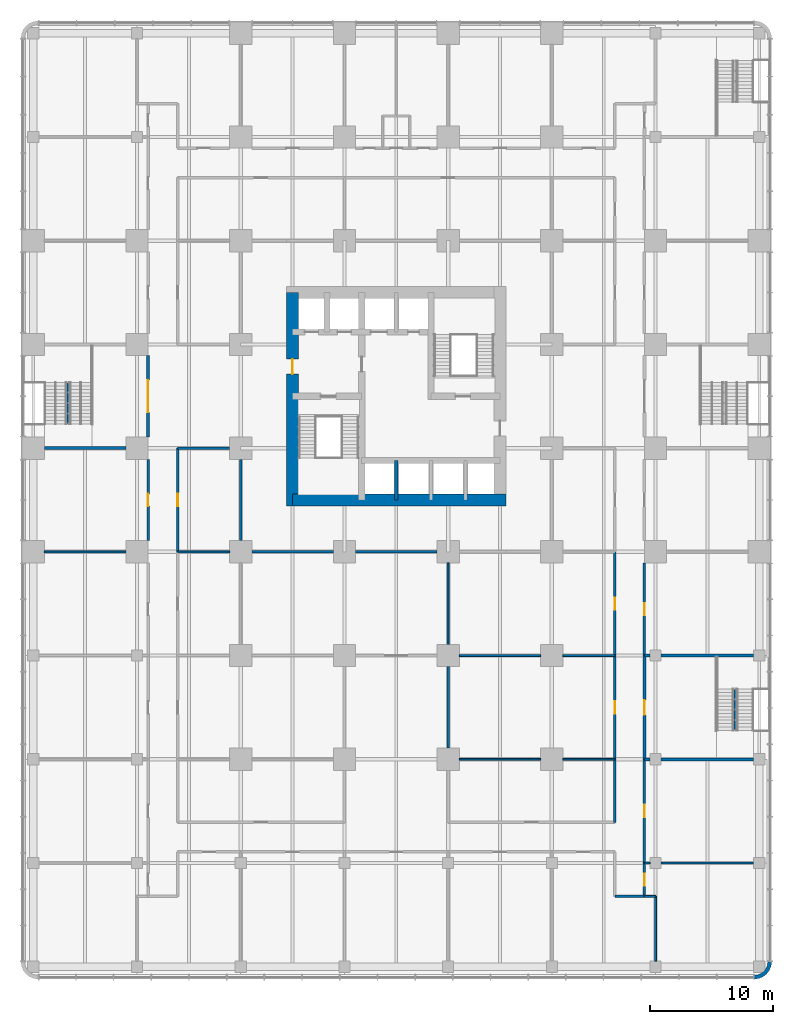
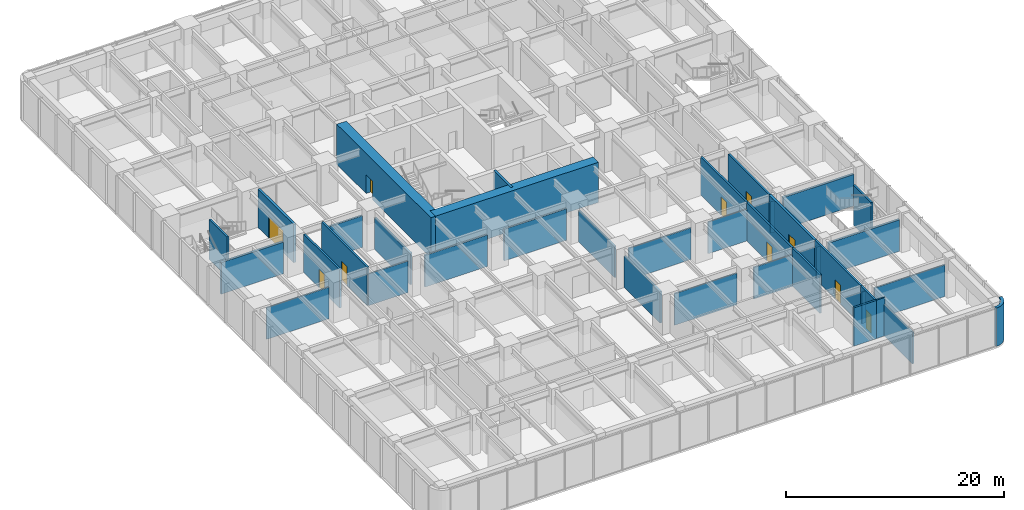
# One storey, part 12 of 19: 38 walls, 10 doors, 10 openings.
"""IFC4 building model written with IfcOpenShell, lengths in metres."""

from ifc_helpers import new_model, si_unit, direction, frame, frame_2d, origin, place, context, subcontext, project, spatial, polyline, rectangle, outline, extrude, material, layer, layer_set, type_object, element, fill, save


model = new_model("IFC4")

# Units and contexts
model_context = context("Model", 3, precision=1e-05, world=origin(), true_north=direction((0.0, 1.0)))
body_context = subcontext(model_context, "Body", "Model", "MODEL_VIEW")
ifc_project = project(units=[si_unit("LENGTHUNIT", "METRE"), si_unit("AREAUNIT", "SQUARE_METRE"), si_unit("VOLUMEUNIT", "CUBIC_METRE"), si_unit("PLANEANGLEUNIT", "RADIAN"), si_unit("MASSUNIT", "GRAM", prefix="KILO")], contexts=[model_context])

# Site, building, storey
site_placement = place(None, origin())
site = spatial("IfcSite", under=ifc_project, at=site_placement, CompositionType="ELEMENT")
building_placement = place(site_placement, origin())
building = spatial("IfcBuilding", under=site, at=building_placement, Name="Torre Alcanfor", CompositionType="ELEMENT")
storey_placement = place(building_placement, frame((0.0, 0.0, 6.0)))
storey = spatial("IfcBuildingStorey", under=building, at=storey_placement, Name="L01", CompositionType="ELEMENT", Elevation=6.0)

# Walls
ifc_material_1 = material(Name="Concrete block masonry, hollow blocks NMX-C-404 9 MPa", Category="masonry")
ifc_layer_1 = layer(ifc_material_1, 0.14990234375)
ifc_layer_set_1 = layer_set([ifc_layer_1], Name="Classroom partition 150")
wall_type_1 = type_object("IfcWallType", Name="Classroom partition 150", PredefinedType="PARTITIONING", material=ifc_layer_set_1)
wall_1_placement = place(storey_placement, frame((49.5, -11.10009765625, 0.0), z_axis=(0.0, 0.0, 1.0), x_axis=(1.0, 0.0, 0.0)))
element("IfcWall", 1, at=wall_1_placement, inside=storey, type_object=wall_type_1, Name="Partition L01-02 / L01-04", PredefinedType="PARTITIONING", context=body_context, shape_type="SweptSolid", body=[
    extrude(rectangle(XDim=0.89990234375, YDim=0.14990234375, at=frame_2d((0.449951171875, 0.0))), origin(), (0.0, 0.0, 1.0), 4.300048828125),
])
wall_2_placement = place(storey_placement, frame((50.39990234375, -11.10009765625, 0.0), z_axis=(0.0, 0.0, 1.0), x_axis=(0.0, -1.0, 0.0)))
element("IfcWall", 2, at=wall_2_placement, inside=storey, type_object=wall_type_1, Name="Partition L01-02 / L01-04", PredefinedType="PARTITIONING", context=body_context, shape_type="SweptSolid", body=[
    extrude(rectangle(XDim=5.25, YDim=0.14990234375, at=frame_2d((2.625, 0.0))), origin(), (0.0, 0.0, 1.0), 3.543212890625),
])
wall_3_placement = place(storey_placement, frame((49.5, -8.39990234375, 0.0), z_axis=(0.0, 0.0, 1.0), x_axis=(1.0, 0.0, 0.0)))
element("IfcWall", 3, at=wall_3_placement, inside=storey, type_object=wall_type_1, Name="Partition L01-04 / L01-09", PredefinedType="PARTITIONING", context=body_context, shape_type="SweptSolid", body=[
    extrude(rectangle(XDim=0.449951171875, YDim=0.14990234375, at=frame_2d((0.22509765625, 0.0))), origin(), (0.0, 0.0, 1.0), 3.543212890625),
])
wall_4_placement = place(storey_placement, frame((50.85009765625, -8.39990234375, 0.0), z_axis=(0.0, 0.0, 1.0), x_axis=(1.0, 0.0, 0.0)))
element("IfcWall", 4, at=wall_4_placement, inside=storey, type_object=wall_type_1, Name="Partition L01-04 / L01-09", PredefinedType="PARTITIONING", context=body_context, shape_type="SweptSolid", body=[
    extrude(rectangle(XDim=7.5, YDim=0.14990234375, at=frame_2d((3.75, 0.0))), origin(), (0.0, 0.0, 1.0), 3.543212890625),
])
for number, where, z_axis, x_axis, name in (
    (5, (0.89990234375, 16.800048828125, 0.0), (0.0, 0.0, 1.0), (1.0, 0.0, 0.0), "Partition L01-12 / L01-14"),
    (6, (34.5, 0.0, 0.0), (0.0, 0.0, 1.0), (1.0, 0.0, 0.0), "Partition L01-I02 / L01-I04"),
):
    element("IfcWall", number, at=place(storey_placement, frame(where, z_axis=z_axis, x_axis=x_axis)), inside=storey, type_object=wall_type_1, Name=name, PredefinedType="PARTITIONING", context=body_context, shape_type="SweptSolid", body=[
        extrude(rectangle(XDim=6.60009765625, YDim=0.14990234375, at=frame_2d((3.300048828125, 0.0))), origin(), (0.0, 0.0, 1.0), 3.543212890625),
    ])
wall_5_placement = place(storey_placement, frame((42.89990234375, 0.0, 0.0), z_axis=(0.0, 0.0, 1.0), x_axis=(1.0, 0.0, 0.0)))
element("IfcWall", 7, at=wall_5_placement, inside=storey, type_object=wall_type_1, Name="Partition L01-I02 / L01-I04", PredefinedType="PARTITIONING", context=body_context, shape_type="SweptSolid", body=[
    extrude(rectangle(XDim=4.2001953125, YDim=0.14990234375, at=frame_2d((2.10009765625, 0.0))), origin(), (0.0, 0.0, 1.0), 3.543212890625),
])
wall_6_placement = place(storey_placement, frame((34.5, 8.39990234375, 0.0), z_axis=(0.0, 0.0, 1.0), x_axis=(1.0, 0.0, 0.0)))
element("IfcWall", 8, at=wall_6_placement, inside=storey, type_object=wall_type_1, Name="Partition L01-I04 / L01-I07", PredefinedType="PARTITIONING", context=body_context, shape_type="SweptSolid", body=[
    extrude(rectangle(XDim=6.60009765625, YDim=0.14990234375, at=frame_2d((3.300048828125, 0.0))), origin(), (0.0, 0.0, 1.0), 3.543212890625),
])
wall_7_placement = place(storey_placement, frame((42.89990234375, 8.39990234375, 0.0), z_axis=(0.0, 0.0, 1.0), x_axis=(1.0, 0.0, 0.0)))
element("IfcWall", 9, at=wall_7_placement, inside=storey, type_object=wall_type_1, Name="Partition L01-I04 / L01-I07", PredefinedType="PARTITIONING", context=body_context, shape_type="SweptSolid", body=[
    extrude(rectangle(XDim=4.2001953125, YDim=0.14990234375, at=frame_2d((2.10009765625, 0.0))), origin(), (0.0, 0.0, 1.0), 3.543212890625),
])
wall_8_placement = place(storey_placement, frame((11.699951171875, 16.800048828125, 0.0), z_axis=(0.0, 0.0, 1.0), x_axis=(1.0, 0.0, 0.0)))
element("IfcWall", 10, at=wall_8_placement, inside=storey, type_object=wall_type_1, Name="Partition L01-I05 / L01-I08", PredefinedType="PARTITIONING", context=body_context, shape_type="SweptSolid", body=[
    extrude(rectangle(XDim=4.199951171875, YDim=0.14990234375, at=frame_2d((2.10009765625, 0.0))), origin(), (0.0, 0.0, 1.0), 3.543212890625),
])
wall_9_placement = place(storey_placement, frame((33.60009765625, 15.89990234375, 0.0), z_axis=(0.0, 0.0, 1.0), x_axis=(0.0, -1.0, 0.0)))
element("IfcWall", 11, at=wall_9_placement, inside=storey, type_object=wall_type_1, Name="Partition L01-I06 / L01-I07", PredefinedType="PARTITIONING", context=body_context, shape_type="SweptSolid", body=[
    extrude(rectangle(XDim=6.599853515625, YDim=0.14990234375, at=frame_2d((3.2998046875, 0.0))), origin(), (0.0, 0.0, 1.0), 3.543212890625),
])
ifc_material_2 = material(Name="Concrete f'c 70 MPa", Category="concrete")
ifc_layer_2 = layer(ifc_material_2, 0.25)
ifc_layer_set_2 = layer_set([ifc_layer_2], Name="Core shaft wall 250 f'c70")
wall_type_2 = type_object("IfcWallType", Name="Core shaft wall 250 f'c70", PredefinedType="SHEAR", material=ifc_layer_set_2)
wall_10_placement = place(storey_placement, frame((29.39990234375, 21.0, 0.0), z_axis=(0.0, 0.0, 1.0), x_axis=(0.0, 1.0, 0.0)))
element("IfcWall", 12, at=wall_10_placement, inside=storey, type_object=wall_type_2, Name="Core wall X294S L01", PredefinedType="SHEAR", context=body_context, shape_type="SweptSolid", body=[
    extrude(rectangle(XDim=3.199951171875, YDim=0.25, at=frame_2d((1.60009765625, 0.0))), origin(), (0.0, 0.0, 1.0), 4.5),
])
ifc_material_3 = material(Name="Concrete f'c 70 MPa", Category="concrete")
ifc_layer_3 = layer(ifc_material_3, 1.0)
ifc_layer_set_3 = layer_set([ifc_layer_3], Name="Core wall 1000 f'c70")
wall_type_3 = type_object("IfcWallType", Name="Core wall 1000 f'c70", PredefinedType="SHEAR", material=ifc_layer_set_3)
wall_11_placement = place(storey_placement, frame((21.0, 21.0, 0.0), z_axis=(0.0, 0.0, 1.0), x_axis=(1.0, 0.0, 0.0)))
element("IfcWall", 13, at=wall_11_placement, inside=storey, type_object=wall_type_3, Name="Core wall OUT-S L01", PredefinedType="SHEAR", context=body_context, shape_type="SweptSolid", body=[
    extrude(rectangle(XDim=17.300048828125, YDim=1.0, at=frame_2d((8.64990234375, 0.0))), origin(), (0.0, 0.0, 1.0), 4.5),
])

# Wall, opening, door
wall_12_placement = place(storey_placement, frame((21.0, 37.800048828125, 0.0), z_axis=(0.0, 0.0, 1.0), x_axis=(0.0, -1.0, 0.0)))
wall_12 = element("IfcWall", 14, at=wall_12_placement, inside=storey, type_object=wall_type_3, Name="Core wall OUT-W L01", PredefinedType="SHEAR", context=body_context, shape_type="SweptSolid", body=[
    extrude(rectangle(XDim=17.300048828125, YDim=1.0, at=frame_2d((8.64990234375, 0.0))), origin(), (0.0, 0.0, 1.0), 4.5),
])
opening_1_placement = place(wall_12_placement, frame((5.39990234375, 0.0, 0.0)))
opening_1 = element("IfcOpeningElement", 15, at=opening_1_placement, cuts=wall_12, Name="Opening D-L1", PredefinedType="OPENING", context=body_context, shape_type="SweptSolid", body=[
    extrude(rectangle(XDim=1.199951171875, YDim=2.10009765625, at=frame_2d((0.60009765625, 1.050048828125))), frame((0.0, 0.510009765625, 0.0), z_axis=(0.0, -1.0, 0.0), x_axis=(1.0, 0.0, 0.0)), (0.0, 0.0, 1.0), 1.02001953125),
])
ifc_material_4 = material(Name="Galvanised steel sheet ASTM A653", Category="steel")
door_type_1 = type_object("IfcDoorType", Name="Lobby door FD120 1200x2100", OperationType="SINGLE_SWING_LEFT", PredefinedType="DOOR", material=ifc_material_4)
door_1_placement = place(opening_1_placement, origin())
door_1 = element("IfcDoor", 16, at=door_1_placement, inside=storey, type_object=door_type_1, Name="Firefighting lobby door L01", OperationType="SINGLE_SWING_LEFT", OverallHeight=2.10009765625, OverallWidth=1.199951171875, PredefinedType="DOOR", context=body_context, shape_type="SweptSolid", body=[
    extrude(rectangle(XDim=1.199951171875, YDim=2.10009765625, at=frame_2d((0.60009765625, 1.050048828125))), frame((0.0, 0.02490234375, 0.0), z_axis=(0.0, -1.0, 0.0), x_axis=(1.0, 0.0, 0.0)), (0.0, 0.0, 1.0), 0.050048828125),
])
fill(opening_1, door_1)

# Walls
ifc_material_5 = material(Name="Limestone cladding", Category="masonry")
ifc_layer_4 = layer(ifc_material_5, 0.0400390625, Name="Facing")
ifc_material_6 = material(Name="Ventilated air cavity")
ifc_layer_5 = layer(ifc_material_6, 0.02001953125, ventilated=True, Name="Ventilated joint")
ifc_material_7 = material(Name="Mineral wool insulation", Category="insulation")
ifc_layer_6 = layer(ifc_material_7, 0.10009765625, Name="Insulation")
ifc_material_8 = material(Name="Concrete f'c 35 MPa", Category="concrete")
ifc_layer_7 = layer(ifc_material_8, 0.139892578125, Name="Backing")
ifc_layer_set_4 = layer_set([ifc_layer_4, ifc_layer_5, ifc_layer_6, ifc_layer_7], Name="Rounded corner pier stone-clad 300")
wall_type_4 = type_object("IfcWallType", Name="Rounded corner pier stone-clad 300", PredefinedType="SOLIDWALL", material=ifc_layer_set_4)
wall_13_placement = place(storey_placement, frame((58.355188981, -17.647901787, 0.0), z_axis=(0.0, 0.0, 1.0), x_axis=(0.707106781187, -0.707106781187, 0.0)))
element("IfcWall", 17, at=wall_13_placement, inside=storey, type_object=wall_type_4, Name="Corner pier L01 8", PredefinedType="SOLIDWALL", context=body_context, shape_type="SweptSolid", body=[
    extrude(outline(polyline([(0.13920132652713757, 1.9041390650053573), (-0.10075922665872694, 1.7197664960826933), (-0.08677591384717653, 1.705783183271143), (0.09966825697349524, 1.462715227238267), (0.20929052407639015, 1.1980680847678138), (0.2464067247490238, 0.9140859912492905), (0.20929052407639015, 0.6301038977307674), (0.09966825697349518, 0.3654567552603139), (-0.08677591384717653, 0.12238879922743817), (-0.10075922665872691, 0.10840548641588779), (0.13920132652713763, -0.07596708250677647), (0.3615532635799387, 0.21405718321426842), (0.5015590251869432, 0.5519009260809856), (0.5492058688411148, 0.9140859912492905), (0.5015590251869431, 1.2762710564175954), (0.3615532635799388, 1.6141147992843126), (0.13920132652713757, 1.9041390650053573)])), origin(), (0.0, 0.0, 1.0), 4.300048828125),
])
ifc_material_9 = material(Name="Concrete block masonry, hollow blocks NMX-C-404 9 MPa", Category="masonry")
ifc_layer_8 = layer(ifc_material_9, 0.199951171875)
ifc_layer_set_5 = layer_set([ifc_layer_8], Name="School corridor wall 200")
wall_type_5 = type_object("IfcWallType", Name="School corridor wall 200", PredefinedType="PARTITIONING", material=ifc_layer_set_5)
wall_14_placement = place(storey_placement, frame((47.10009765625, -11.10009765625, 0.0), z_axis=(0.0, 0.0, 1.0), x_axis=(1.0, 0.0, 0.0)))
element("IfcWall", 18, at=wall_14_placement, inside=storey, type_object=wall_type_5, Name="Partition L01-02 / L01-CORR", PredefinedType="PARTITIONING", context=body_context, shape_type="SweptSolid", body=[
    extrude(rectangle(XDim=2.39990234375, YDim=0.199951171875, at=frame_2d((1.199951171875, 0.0))), origin(), (0.0, 0.0, 1.0), 4.300048828125),
])

# Wall, opening, door
wall_15_placement = place(storey_placement, frame((49.5, -11.10009765625, 0.0), z_axis=(0.0, 0.0, 1.0), x_axis=(0.0, 1.0, 0.0)))
wall_15 = element("IfcWall", 19, at=wall_15_placement, inside=storey, type_object=wall_type_5, Name="Partition L01-04 / L01-CORR", PredefinedType="PARTITIONING", context=body_context, shape_type="SweptSolid", body=[
    extrude(rectangle(XDim=2.7001953125, YDim=0.199951171875, at=frame_2d((1.35009765625, 0.0))), origin(), (0.0, 0.0, 1.0), 4.300048828125),
])
opening_2_placement = place(wall_15_placement, frame((0.85009765625, 0.0, 0.0)))
opening_2 = element("IfcOpeningElement", 20, at=opening_2_placement, cuts=wall_15, Name="Opening D-C1", PredefinedType="OPENING", context=body_context, shape_type="SweptSolid", body=[
    extrude(rectangle(XDim=1.0, YDim=2.10009765625, at=frame_2d((0.5, 1.050048828125))), frame((0.0, 0.10986328125, 0.0), z_axis=(0.0, -1.0, 0.0), x_axis=(1.0, 0.0, 0.0)), (0.0, 0.0, 1.0), 0.219970703125),
])
ifc_material_10 = material(Name="Timber", Category="wood")
door_type_2 = type_object("IfcDoorType", Name="Classroom door 1000x2100", OperationType="SINGLE_SWING_RIGHT", PredefinedType="DOOR", material=ifc_material_10)
door_2_placement = place(opening_2_placement, frame((1.0, 0.0, 0.0), z_axis=(0.0, 0.0, 1.0), x_axis=(-1.0, 0.0, 0.0)))
door_2 = element("IfcDoor", 21, at=door_2_placement, inside=storey, type_object=door_type_2, Name="Door L01-04 classroom", OperationType="SINGLE_SWING_RIGHT", OverallHeight=2.10009765625, OverallWidth=1.0, PredefinedType="DOOR", context=body_context, shape_type="SweptSolid", body=[
    extrude(rectangle(XDim=1.0, YDim=2.10009765625, at=frame_2d((0.5, 1.050048828125))), frame((0.0, 0.025146484375, 0.0), z_axis=(0.0, -1.0, 0.0), x_axis=(1.0, 0.0, 0.0)), (0.0, 0.0, 1.0), 0.050048828125),
])
fill(opening_2, door_2)

wall_16_placement = place(storey_placement, frame((49.5, -8.39990234375, 0.0), z_axis=(0.0, 0.0, 1.0), x_axis=(0.0, 1.0, 0.0)))
wall_16 = element("IfcWall", 22, at=wall_16_placement, inside=storey, type_object=wall_type_5, Name="Partition L01-09 / L01-CORR", PredefinedType="PARTITIONING", context=body_context, shape_type="SweptSolid", body=[
    extrude(rectangle(XDim=8.39990234375, YDim=0.199951171875, at=frame_2d((4.199951171875, 0.0))), origin(), (0.0, 0.0, 1.0), 4.300048828125),
])
opening_3_placement = place(wall_16_placement, frame((3.699951171875, 0.0, 0.0)))
opening_3 = element("IfcOpeningElement", 23, at=opening_3_placement, cuts=wall_16, Name="Opening D-C1", PredefinedType="OPENING", context=body_context, shape_type="SweptSolid", body=[
    extrude(rectangle(XDim=1.0, YDim=2.10009765625, at=frame_2d((0.5, 1.050048828125))), frame((0.0, 0.10986328125, 0.0), z_axis=(0.0, -1.0, 0.0), x_axis=(1.0, 0.0, 0.0)), (0.0, 0.0, 1.0), 0.219970703125),
])
door_3_placement = place(opening_3_placement, frame((1.0, 0.0, 0.0), z_axis=(0.0, 0.0, 1.0), x_axis=(-1.0, 0.0, 0.0)))
door_3 = element("IfcDoor", 24, at=door_3_placement, inside=storey, type_object=door_type_2, Name="Door L01-09 classroom", OperationType="SINGLE_SWING_RIGHT", OverallHeight=2.10009765625, OverallWidth=1.0, PredefinedType="DOOR", context=body_context, shape_type="SweptSolid", body=[
    extrude(rectangle(XDim=1.0, YDim=2.10009765625, at=frame_2d((0.5, 1.050048828125))), frame((0.0, 0.025146484375, 0.0), z_axis=(0.0, -1.0, 0.0), x_axis=(1.0, 0.0, 0.0)), (0.0, 0.0, 1.0), 0.050048828125),
])
fill(opening_3, door_3)

wall_17_placement = place(storey_placement, frame((49.5, 8.39990234375, 0.0), z_axis=(0.0, 0.0, 1.0), x_axis=(0.0, 1.0, 0.0)))
wall_17 = element("IfcWall", 25, at=wall_17_placement, inside=storey, type_object=wall_type_5, Name="Partition L01-13 / L01-CORR", PredefinedType="PARTITIONING", context=body_context, shape_type="SweptSolid", body=[
    extrude(rectangle(XDim=7.5, YDim=0.199951171875, at=frame_2d((3.75, 0.0))), origin(), (0.0, 0.0, 1.0), 4.300048828125),
])
opening_4_placement = place(wall_17_placement, frame((3.25, 0.0, 0.0)))
opening_4 = element("IfcOpeningElement", 26, at=opening_4_placement, cuts=wall_17, Name="Opening D-C1", PredefinedType="OPENING", context=body_context, shape_type="SweptSolid", body=[
    extrude(rectangle(XDim=1.0, YDim=2.10009765625, at=frame_2d((0.5, 1.050048828125))), frame((0.0, 0.10986328125, 0.0), z_axis=(0.0, -1.0, 0.0), x_axis=(1.0, 0.0, 0.0)), (0.0, 0.0, 1.0), 0.219970703125),
])
door_4_placement = place(opening_4_placement, frame((1.0, 0.0, 0.0), z_axis=(0.0, 0.0, 1.0), x_axis=(-1.0, 0.0, 0.0)))
door_4 = element("IfcDoor", 27, at=door_4_placement, inside=storey, type_object=door_type_2, Name="Door L01-13 classroom", OperationType="SINGLE_SWING_RIGHT", OverallHeight=2.10009765625, OverallWidth=1.0, PredefinedType="DOOR", context=body_context, shape_type="SweptSolid", body=[
    extrude(rectangle(XDim=1.0, YDim=2.10009765625, at=frame_2d((0.5, 1.050048828125))), frame((0.0, 0.025146484375, 0.0), z_axis=(0.0, -1.0, 0.0), x_axis=(1.0, 0.0, 0.0)), (0.0, 0.0, 1.0), 0.050048828125),
])
fill(opening_4, door_4)

wall_18_placement = place(storey_placement, frame((9.300048828125, 24.300048828125, 0.0), z_axis=(0.0, 0.0, 1.0), x_axis=(0.0, -1.0, 0.0)))
wall_18 = element("IfcWall", 28, at=wall_18_placement, inside=storey, type_object=wall_type_5, Name="Partition L01-14 / L01-CORR", PredefinedType="PARTITIONING", context=body_context, shape_type="SweptSolid", body=[
    extrude(rectangle(XDim=6.60009765625, YDim=0.199951171875, at=frame_2d((3.300048828125, 0.0))), origin(), (0.0, 0.0, 1.0), 4.300048828125),
])
opening_5_placement = place(wall_18_placement, frame((2.800048828125, 0.0, 0.0)))
opening_5 = element("IfcOpeningElement", 29, at=opening_5_placement, cuts=wall_18, Name="Opening D-C1", PredefinedType="OPENING", context=body_context, shape_type="SweptSolid", body=[
    extrude(rectangle(XDim=1.0, YDim=2.10009765625, at=frame_2d((0.5, 1.050048828125))), frame((0.0, 0.10986328125, 0.0), z_axis=(0.0, -1.0, 0.0), x_axis=(1.0, 0.0, 0.0)), (0.0, 0.0, 1.0), 0.219970703125),
])
door_5_placement = place(opening_5_placement, frame((1.0, 0.0, 0.0), z_axis=(0.0, 0.0, 1.0), x_axis=(-1.0, 0.0, 0.0)))
door_5 = element("IfcDoor", 30, at=door_5_placement, inside=storey, type_object=door_type_2, Name="Door L01-14 classroom", OperationType="SINGLE_SWING_RIGHT", OverallHeight=2.10009765625, OverallWidth=1.0, PredefinedType="DOOR", context=body_context, shape_type="SweptSolid", body=[
    extrude(rectangle(XDim=1.0, YDim=2.10009765625, at=frame_2d((0.5, 1.050048828125))), frame((0.0, 0.025146484375, 0.0), z_axis=(0.0, -1.0, 0.0), x_axis=(1.0, 0.0, 0.0)), (0.0, 0.0, 1.0), 0.050048828125),
])
fill(opening_5, door_5)

# Walls
wall_19_placement = place(storey_placement, frame((47.10009765625, -5.10009765625, 0.0), z_axis=(0.0, 0.0, 1.0), x_axis=(0.0, 1.0, 0.0)))
element("IfcWall", 31, at=wall_19_placement, inside=storey, type_object=wall_type_5, Name="Partition L01-CORR / L01-I02", PredefinedType="PARTITIONING", context=body_context, shape_type="SweptSolid", body=[
    extrude(rectangle(XDim=5.10009765625, YDim=0.199951171875, at=frame_2d((2.550048828125, 0.0))), origin(), (0.0, 0.0, 1.0), 4.300048828125),
])
wall_20_placement = place(storey_placement, frame((33.60009765625, 7.5, 0.0), z_axis=(0.0, 0.0, 1.0), x_axis=(0.0, -1.0, 0.0)))
element("IfcWall", 32, at=wall_20_placement, inside=storey, type_object=wall_type_5, Name="Partition L01-CORR / L01-I04", PredefinedType="PARTITIONING", context=body_context, shape_type="SweptSolid", body=[
    extrude(rectangle(XDim=6.60009765625, YDim=0.199951171875, at=frame_2d((3.300048828125, 0.0))), origin(), (0.0, 0.0, 1.0), 3.543212890625),
])

# Wall, opening, door
wall_21_placement = place(storey_placement, frame((47.10009765625, 0.0, 0.0), z_axis=(0.0, 0.0, 1.0), x_axis=(0.0, 1.0, 0.0)))
wall_21 = element("IfcWall", 33, at=wall_21_placement, inside=storey, type_object=wall_type_5, Name="Partition L01-CORR / L01-I04", PredefinedType="PARTITIONING", context=body_context, shape_type="SweptSolid", body=[
    extrude(rectangle(XDim=8.39990234375, YDim=0.199951171875, at=frame_2d((4.199951171875, 0.0))), origin(), (0.0, 0.0, 1.0), 4.300048828125),
])
opening_6_placement = place(wall_21_placement, frame((3.699951171875, 0.0, 0.0)))
opening_6 = element("IfcOpeningElement", 34, at=opening_6_placement, cuts=wall_21, Name="Opening D-C1", PredefinedType="OPENING", context=body_context, shape_type="SweptSolid", body=[
    extrude(rectangle(XDim=1.0, YDim=2.10009765625, at=frame_2d((0.5, 1.050048828125))), frame((0.0, 0.10986328125, 0.0), z_axis=(0.0, -1.0, 0.0), x_axis=(1.0, 0.0, 0.0)), (0.0, 0.0, 1.0), 0.219970703125),
])
door_6_placement = place(opening_6_placement, origin())
door_6 = element("IfcDoor", 35, at=door_6_placement, inside=storey, type_object=door_type_2, Name="Door L01-I04 science laboratory", OperationType="SINGLE_SWING_LEFT", OverallHeight=2.10009765625, OverallWidth=1.0, PredefinedType="DOOR", context=body_context, shape_type="SweptSolid", body=[
    extrude(rectangle(XDim=1.0, YDim=2.10009765625, at=frame_2d((0.5, 1.050048828125))), frame((0.0, 0.02490234375, 0.0), z_axis=(0.0, -1.0, 0.0), x_axis=(1.0, 0.0, 0.0)), (0.0, 0.0, 1.0), 0.050048828125),
])
fill(opening_6, door_6)

wall_22_placement = place(storey_placement, frame((47.10009765625, 8.39990234375, 0.0), z_axis=(0.0, 0.0, 1.0), x_axis=(0.0, 1.0, 0.0)))
wall_22 = element("IfcWall", 36, at=wall_22_placement, inside=storey, type_object=wall_type_5, Name="Partition L01-CORR / L01-I07", PredefinedType="PARTITIONING", context=body_context, shape_type="SweptSolid", body=[
    extrude(rectangle(XDim=8.400146484375, YDim=0.199951171875, at=frame_2d((4.2001953125, 0.0))), origin(), (0.0, 0.0, 1.0), 4.300048828125),
])
opening_7_placement = place(wall_22_placement, frame((3.699951171875, 0.0, 0.0)))
opening_7 = element("IfcOpeningElement", 37, at=opening_7_placement, cuts=wall_22, Name="Opening D-C1", PredefinedType="OPENING", context=body_context, shape_type="SweptSolid", body=[
    extrude(rectangle(XDim=1.0, YDim=2.10009765625, at=frame_2d((0.5, 1.050048828125))), frame((0.0, 0.10986328125, 0.0), z_axis=(0.0, -1.0, 0.0), x_axis=(1.0, 0.0, 0.0)), (0.0, 0.0, 1.0), 0.219970703125),
])
door_7_placement = place(opening_7_placement, origin())
door_7 = element("IfcDoor", 38, at=door_7_placement, inside=storey, type_object=door_type_2, Name="Door L01-I07 computer room", OperationType="SINGLE_SWING_LEFT", OverallHeight=2.10009765625, OverallWidth=1.0, PredefinedType="DOOR", context=body_context, shape_type="SweptSolid", body=[
    extrude(rectangle(XDim=1.0, YDim=2.10009765625, at=frame_2d((0.5, 1.050048828125))), frame((0.0, 0.02490234375, 0.0), z_axis=(0.0, -1.0, 0.0), x_axis=(1.0, 0.0, 0.0)), (0.0, 0.0, 1.0), 0.050048828125),
])
fill(opening_7, door_7)

wall_23_placement = place(storey_placement, frame((11.699951171875, 25.199951171875, 0.0), z_axis=(0.0, 0.0, 1.0), x_axis=(0.0, -1.0, 0.0)))
wall_23 = element("IfcWall", 39, at=wall_23_placement, inside=storey, type_object=wall_type_5, Name="Partition L01-CORR / L01-I08", PredefinedType="PARTITIONING", context=body_context, shape_type="SweptSolid", body=[
    extrude(rectangle(XDim=8.39990234375, YDim=0.199951171875, at=frame_2d((4.199951171875, 0.0))), origin(), (0.0, 0.0, 1.0), 4.300048828125),
])
opening_8_placement = place(wall_23_placement, frame((3.699951171875, 0.0, 0.0)))
opening_8 = element("IfcOpeningElement", 40, at=opening_8_placement, cuts=wall_23, Name="Opening D-C1", PredefinedType="OPENING", context=body_context, shape_type="SweptSolid", body=[
    extrude(rectangle(XDim=1.0, YDim=2.10009765625, at=frame_2d((0.5, 1.050048828125))), frame((0.0, 0.10986328125, 0.0), z_axis=(0.0, -1.0, 0.0), x_axis=(1.0, 0.0, 0.0)), (0.0, 0.0, 1.0), 0.219970703125),
])
door_8_placement = place(opening_8_placement, origin())
door_8 = element("IfcDoor", 41, at=door_8_placement, inside=storey, type_object=door_type_2, Name="Door L01-I08 group room", OperationType="SINGLE_SWING_LEFT", OverallHeight=2.10009765625, OverallWidth=1.0, PredefinedType="DOOR", context=body_context, shape_type="SweptSolid", body=[
    extrude(rectangle(XDim=1.0, YDim=2.10009765625, at=frame_2d((0.5, 1.050048828125))), frame((0.0, 0.02490234375, 0.0), z_axis=(0.0, -1.0, 0.0), x_axis=(1.0, 0.0, 0.0)), (0.0, 0.0, 1.0), 0.050048828125),
])
fill(opening_8, door_8)

# Walls
wall_24_placement = place(storey_placement, frame((24.300048828125, 16.800048828125, 0.0), z_axis=(0.0, 0.0, 1.0), x_axis=(-1.0, 0.0, 0.0)))
element("IfcWall", 42, at=wall_24_placement, inside=storey, type_object=wall_type_5, Name="Partition L01-LLW / L01-I06", PredefinedType="PARTITIONING", context=body_context, shape_type="SweptSolid", body=[
    extrude(rectangle(XDim=6.60009765625, YDim=0.199951171875, at=frame_2d((3.300048828125, 0.0))), origin(), (0.0, 0.0, 1.0), 3.543212890625),
])
wall_25_placement = place(storey_placement, frame((32.699951171875, 16.800048828125, 0.0), z_axis=(0.0, 0.0, 1.0), x_axis=(-1.0, 0.0, 0.0)))
element("IfcWall", 43, at=wall_25_placement, inside=storey, type_object=wall_type_5, Name="Partition L01-LLW / L01-I06", PredefinedType="PARTITIONING", context=body_context, shape_type="SweptSolid", body=[
    extrude(rectangle(XDim=6.599853515625, YDim=0.199951171875, at=frame_2d((3.2998046875, 0.0))), origin(), (0.0, 0.0, 1.0), 3.543212890625),
])
wall_26_placement = place(storey_placement, frame((15.89990234375, 25.199951171875, 0.0), z_axis=(0.0, 0.0, 1.0), x_axis=(-1.0, 0.0, 0.0)))
element("IfcWall", 44, at=wall_26_placement, inside=storey, type_object=wall_type_5, Name="Partition L01-LLW / L01-I08", PredefinedType="PARTITIONING", context=body_context, shape_type="SweptSolid", body=[
    extrude(rectangle(XDim=4.199951171875, YDim=0.199951171875, at=frame_2d((2.10009765625, 0.0))), origin(), (0.0, 0.0, 1.0), 3.543212890625),
])
wall_27_placement = place(storey_placement, frame((16.800048828125, 17.699951171875, 0.0), z_axis=(0.0, 0.0, 1.0), x_axis=(0.0, 1.0, 0.0)))
element("IfcWall", 45, at=wall_27_placement, inside=storey, type_object=wall_type_5, Name="Partition L01-LLW / L01-I08", PredefinedType="PARTITIONING", context=body_context, shape_type="SweptSolid", body=[
    extrude(rectangle(XDim=6.60009765625, YDim=0.199951171875, at=frame_2d((3.300048828125, 0.0))), origin(), (0.0, 0.0, 1.0), 3.543212890625),
])
ifc_material_11 = material(Name="Reinforced concrete block masonry, hollow blocks NMX-C-404 9 MPa", Category="masonry")
ifc_layer_9 = layer(ifc_material_11, 0.25)
ifc_layer_set_6 = layer_set([ifc_layer_9], Name="Stair enclosure wall 250 EI 120")
wall_type_6 = type_object("IfcWallType", Name="Stair enclosure wall 250 EI 120", PredefinedType="SOLIDWALL", material=ifc_layer_set_6)
wall_28_placement = place(storey_placement, frame((7.5, 25.199951171875, 0.0), z_axis=(0.0, 0.0, 1.0), x_axis=(-1.0, 0.0, 0.0)))
element("IfcWall", 46, at=wall_28_placement, inside=storey, type_object=wall_type_6, Name="Partition L01-SS1 / L01-14", PredefinedType="SOLIDWALL", context=body_context, shape_type="SweptSolid", body=[
    extrude(rectangle(XDim=6.60009765625, YDim=0.25, at=frame_2d((3.300048828125, 0.0))), origin(), (0.0, 0.0, 1.0), 3.543212890625),
])

# Wall, opening, door
wall_29_placement = place(storey_placement, frame((9.300048828125, 32.699951171875, 0.0), z_axis=(0.0, 0.0, 1.0), x_axis=(0.0, -1.0, 0.0)))
wall_29 = element("IfcWall", 47, at=wall_29_placement, inside=storey, type_object=wall_type_6, Name="Partition L01-SS1 / L01-CORR", PredefinedType="SOLIDWALL", context=body_context, shape_type="SweptSolid", body=[
    extrude(rectangle(XDim=6.599853515625, YDim=0.25, at=frame_2d((3.2998046875, 0.0))), origin(), (0.0, 0.0, 1.0), 4.300048828125),
])
opening_9_placement = place(wall_29_placement, frame((2.0, 0.0, 0.0)))
opening_9 = element("IfcOpeningElement", 48, at=opening_9_placement, cuts=wall_29, Name="Opening D-S4", PredefinedType="OPENING", context=body_context, shape_type="SweptSolid", body=[
    extrude(rectangle(XDim=2.60009765625, YDim=2.39990234375, at=frame_2d((1.300048828125, 1.199951171875))), frame((0.0, 0.135009765625, 0.0), z_axis=(0.0, -1.0, 0.0), x_axis=(1.0, 0.0, 0.0)), (0.0, 0.0, 1.0), 0.27001953125),
])
ifc_material_12 = material(Name="Galvanised steel sheet ASTM A653", Category="steel")
door_type_3 = type_object("IfcDoorType", Name="School stair double door FD120 2600x2400", OperationType="DOUBLE_DOOR_SINGLE_SWING", PredefinedType="DOOR", material=ifc_material_12)
door_9_placement = place(opening_9_placement, frame((2.60009765625, 0.0, 0.0), z_axis=(0.0, 0.0, 1.0), x_axis=(-1.0, 0.0, 0.0)))
door_9 = element("IfcDoor", 49, at=door_9_placement, inside=storey, type_object=door_type_3, Name="Door L01-SS1 school stair ss1", OperationType="DOUBLE_DOOR_SINGLE_SWING", OverallHeight=2.39990234375, OverallWidth=2.60009765625, PredefinedType="DOOR", context=body_context, shape_type="SweptSolid", body=[
    extrude(rectangle(XDim=2.60009765625, YDim=2.39990234375, at=frame_2d((1.300048828125, 1.199951171875))), frame((0.0, 0.025146484375, 0.0), z_axis=(0.0, -1.0, 0.0), x_axis=(1.0, 0.0, 0.0)), (0.0, 0.0, 1.0), 0.050048828125),
])
fill(opening_9, door_9)

# Walls
wall_30_placement = place(storey_placement, frame((49.949951171875, 0.0, 0.0), z_axis=(0.0, 0.0, 1.0), x_axis=(-1.0, 0.0, 0.0)))
element("IfcWall", 50, at=wall_30_placement, inside=storey, type_object=wall_type_6, Name="Partition L01-SS3 / L01-09", PredefinedType="SOLIDWALL", context=body_context, shape_type="SweptSolid", body=[
    extrude(rectangle(XDim=0.449951171875, YDim=0.25, at=frame_2d((0.22509765625, 0.0))), origin(), (0.0, 0.0, 1.0), 3.543212890625),
])
wall_31_placement = place(storey_placement, frame((58.35009765625, 0.0, 0.0), z_axis=(0.0, 0.0, 1.0), x_axis=(-1.0, 0.0, 0.0)))
element("IfcWall", 51, at=wall_31_placement, inside=storey, type_object=wall_type_6, Name="Partition L01-SS3 / L01-09", PredefinedType="SOLIDWALL", context=body_context, shape_type="SweptSolid", body=[
    extrude(rectangle(XDim=7.5, YDim=0.25, at=frame_2d((3.75, 0.0))), origin(), (0.0, 0.0, 1.0), 3.543212890625),
])
wall_32_placement = place(storey_placement, frame((49.5, 8.39990234375, 0.0), z_axis=(0.0, 0.0, 1.0), x_axis=(1.0, 0.0, 0.0)))
element("IfcWall", 52, at=wall_32_placement, inside=storey, type_object=wall_type_6, Name="Partition L01-SS3 / L01-13", PredefinedType="SOLIDWALL", context=body_context, shape_type="SweptSolid", body=[
    extrude(rectangle(XDim=0.449951171875, YDim=0.25, at=frame_2d((0.22509765625, 0.0))), origin(), (0.0, 0.0, 1.0), 3.543212890625),
])
wall_33_placement = place(storey_placement, frame((50.85009765625, 8.39990234375, 0.0), z_axis=(0.0, 0.0, 1.0), x_axis=(1.0, 0.0, 0.0)))
element("IfcWall", 53, at=wall_33_placement, inside=storey, type_object=wall_type_6, Name="Partition L01-SS3 / L01-13", PredefinedType="SOLIDWALL", context=body_context, shape_type="SweptSolid", body=[
    extrude(rectangle(XDim=7.5, YDim=0.25, at=frame_2d((3.75, 0.0))), origin(), (0.0, 0.0, 1.0), 3.543212890625),
])

# Wall, opening, door
wall_34_placement = place(storey_placement, frame((49.5, 0.0, 0.0), z_axis=(0.0, 0.0, 1.0), x_axis=(0.0, 1.0, 0.0)))
wall_34 = element("IfcWall", 54, at=wall_34_placement, inside=storey, type_object=wall_type_6, Name="Partition L01-SS3 / L01-CORR", PredefinedType="SOLIDWALL", context=body_context, shape_type="SweptSolid", body=[
    extrude(rectangle(XDim=8.39990234375, YDim=0.25, at=frame_2d((4.199951171875, 0.0))), origin(), (0.0, 0.0, 1.0), 4.300048828125),
])
opening_10_placement = place(wall_34_placement, frame((3.60009765625, 0.0, 0.0)))
opening_10 = element("IfcOpeningElement", 55, at=opening_10_placement, cuts=wall_34, Name="Opening D-L1", PredefinedType="OPENING", context=body_context, shape_type="SweptSolid", body=[
    extrude(rectangle(XDim=1.199951171875, YDim=2.10009765625, at=frame_2d((0.60009765625, 1.050048828125))), frame((0.0, 0.135009765625, 0.0), z_axis=(0.0, -1.0, 0.0), x_axis=(1.0, 0.0, 0.0)), (0.0, 0.0, 1.0), 0.27001953125),
])
door_10_placement = place(opening_10_placement, frame((1.199951171875, 0.0, 0.0), z_axis=(0.0, 0.0, 1.0), x_axis=(-1.0, 0.0, 0.0)))
door_10 = element("IfcDoor", 56, at=door_10_placement, inside=storey, type_object=door_type_1, Name="Door L01-SS3 school stair ss3", OperationType="SINGLE_SWING_RIGHT", OverallHeight=2.10009765625, OverallWidth=1.199951171875, PredefinedType="DOOR", context=body_context, shape_type="SweptSolid", body=[
    extrude(rectangle(XDim=1.199951171875, YDim=2.10009765625, at=frame_2d((0.599853515625, 1.050048828125))), frame((0.0, 0.025146484375, 0.0), z_axis=(0.0, -1.0, 0.0), x_axis=(1.0, 0.0, 0.0)), (0.0, 0.0, 1.0), 0.050048828125),
])
fill(opening_10, door_10)

# Walls
ifc_material_13 = material(Name="Concrete f'c 35 MPa", Category="concrete")
ifc_layer_10 = layer(ifc_material_13, 0.199951171875)
ifc_layer_set_7 = layer_set([ifc_layer_10], Name="Stair spine wall 200")
wall_type_7 = type_object("IfcWallType", Name="Stair spine wall 200", PredefinedType="SOLIDWALL", material=ifc_layer_set_7)
for number, where, z_axis, x_axis, name in (
    (57, (2.830078125, 27.205078125, 0.0), (0.0, 0.0, 1.0), (0.0, 1.0, 0.0), "Stair spine wall SS1 L01"),
    (58, (56.85009765625, 2.375, 0.0), (0.0, 0.0, 1.0), (0.0, 1.0, 0.0), "Stair spine wall SS3 L01"),
):
    element("IfcWall", number, at=place(storey_placement, frame(where, z_axis=z_axis, x_axis=x_axis)), inside=storey, type_object=wall_type_7, Name=name, PredefinedType="SOLIDWALL", context=body_context, shape_type="SweptSolid", body=[
        extrude(rectangle(XDim=3.260009765625, YDim=0.199951171875, at=frame_2d((1.6298828125, 0.0))), origin(), (0.0, 0.0, 1.0), 4.5),
    ])

save(model, "model.ifc")
